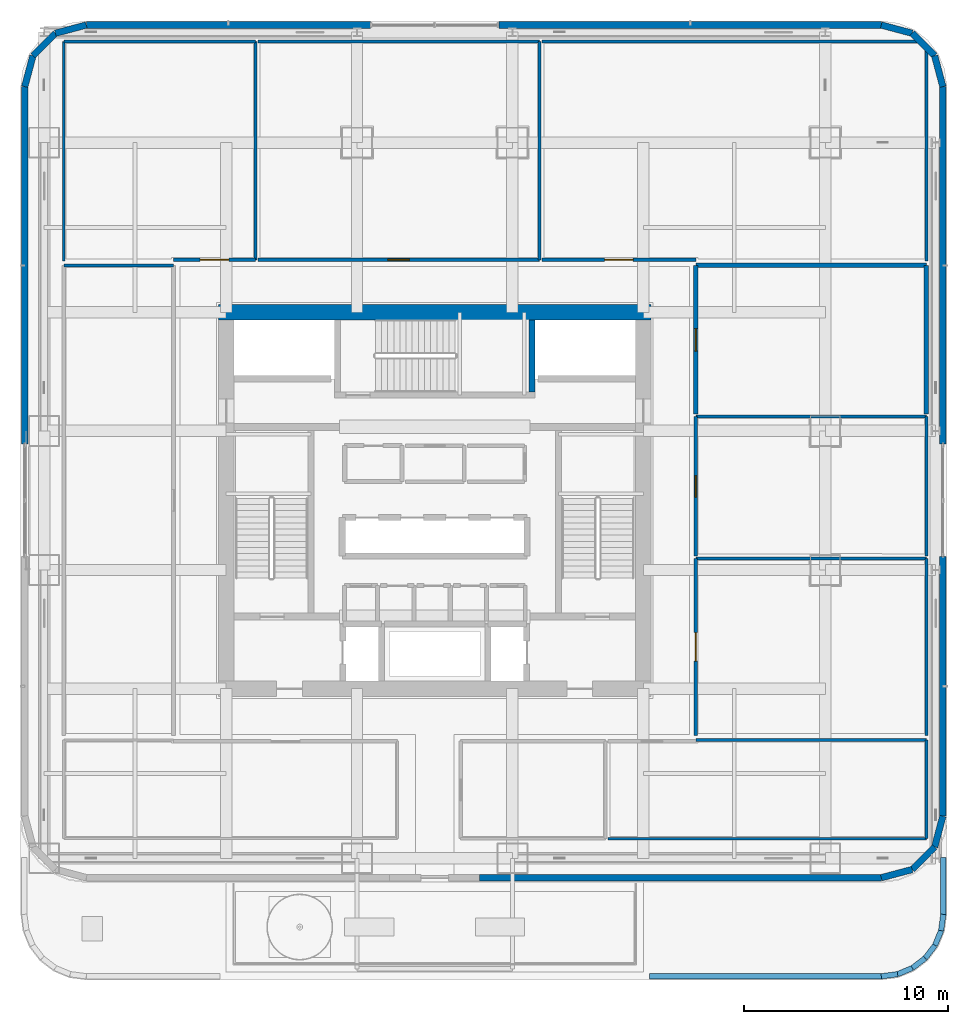
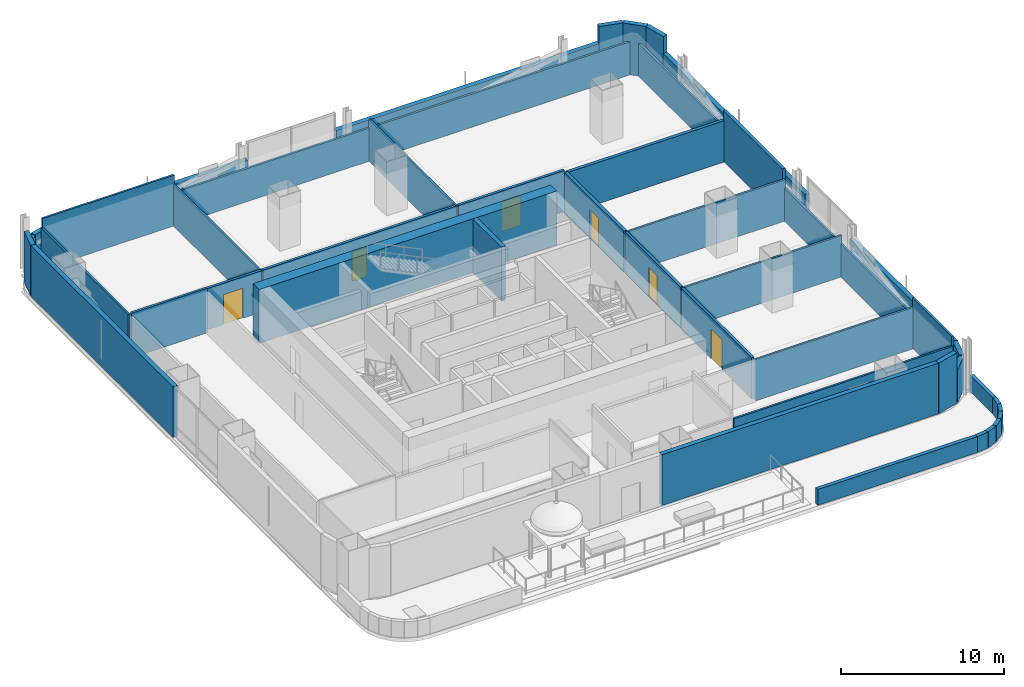
# One storey, part 13 of 28: 48 walls, 6 doors, 6 openings.
"""IFC4 building model written with IfcOpenShell, lengths in metres."""

from ifc_helpers import new_model, si_unit, direction, frame, frame_2d, origin, place, context, subcontext, project, spatial, rectangle, extrude, material, layer, layer_set, type_object, element, fill, save


model = new_model("IFC4")

# Units and contexts
model_context = context("Model", 3, precision=1e-05, world=origin(), true_north=direction((0.0, 1.0)))
body_context = subcontext(model_context, "Body", "Model", "MODEL_VIEW")
ifc_project = project(units=[si_unit("LENGTHUNIT", "METRE"), si_unit("AREAUNIT", "SQUARE_METRE"), si_unit("VOLUMEUNIT", "CUBIC_METRE"), si_unit("PLANEANGLEUNIT", "RADIAN"), si_unit("MASSUNIT", "GRAM", prefix="KILO")], contexts=[model_context])

# Site, building, storey
site_placement = place(None, origin())
site = spatial("IfcSite", under=ifc_project, at=site_placement, CompositionType="ELEMENT")
building_placement = place(site_placement, origin())
building = spatial("IfcBuilding", under=site, at=building_placement, Name="Punatoya Terracotta Tower", CompositionType="ELEMENT")
storey_placement = place(building_placement, frame((0.0, 0.0, 93.0)))
storey = spatial("IfcBuildingStorey", under=building, at=storey_placement, Name="L21", CompositionType="ELEMENT", Elevation=93.0)

# Wall
ifc_material_1 = material(Name="Concrete C60/75", Category="concrete")
ifc_layer_1 = layer(ifc_material_1, 0.75)
ifc_layer_set_1 = layer_set([ifc_layer_1], Name="Concrete C60/75")
wall_type_1 = type_object("IfcWallType", Name="WL-COR-750", PredefinedType="SHEAR", material=ifc_layer_set_1)
wall_1_placement = place(storey_placement, frame((-10.574951171875, 9.199951171875, 0.0), z_axis=(0.0, 0.0, 1.0), x_axis=(1.0, 0.0, 0.0)))
element("IfcWall", 1, at=wall_1_placement, inside=storey, type_object=wall_type_1, Name="L21 Core Shear Wall N", PredefinedType="SHEAR", context=body_context, shape_type="SweptSolid", body=[
    extrude(rectangle(XDim=21.14990234375, YDim=0.75, at=frame_2d((10.574951171875, 0.0))), origin(), (0.0, 0.0, 1.0), 4.050048828125),
])

# Wall, opening, door
ifc_material_2 = material(Name="Gypsum Fireboard + Steel Stud", Category="steel")
ifc_layer_2 = layer(ifc_material_2, 0.179931640625)
ifc_layer_set_2 = layer_set([ifc_layer_2], Name="Gypsum Fireboard + Steel Stud")
wall_type_2 = type_object("IfcWallType", Name="WL-CORR-180", PredefinedType="PARTITIONING", material=ifc_layer_set_2)
wall_2_placement = place(storey_placement, frame((12.77001953125, -11.489990234375, 0.0), z_axis=(0.0, 0.0, 1.0), x_axis=(0.0, 1.0, 0.0)))
wall_2 = element("IfcWall", 2, at=wall_2_placement, inside=storey, type_object=wall_type_2, Name="L21 Open-Plan Press Briefing Room Partition 35", PredefinedType="PARTITIONING", context=body_context, shape_type="SweptSolid", body=[
    extrude(rectangle(XDim=8.657958984375, YDim=0.179931640625, at=frame_2d((4.3291015625, 0.0))), origin(), (0.0, 0.0, 1.0), 3.10400390625),
])
opening_1_placement = place(wall_2_placement, frame((3.62890625, 0.0, 0.0)))
opening_1 = element("IfcOpeningElement", 3, at=opening_1_placement, cuts=wall_2, Name="Opening BD-01", PredefinedType="OPENING", context=body_context, shape_type="SweptSolid", body=[
    extrude(rectangle(XDim=1.39990234375, YDim=2.25, at=frame_2d((0.699951171875, 1.125))), frame((0.0, 0.099853515625, 0.0), z_axis=(0.0, -1.0, 0.0), x_axis=(1.0, 0.0, 0.0)), (0.0, 0.0, 1.0), 0.199951171875),
])
ifc_material_3 = material(Name="Bengal Teak Acoustic Leaf")
door_type_1 = type_object("IfcDoorType", Name="DR-BRD-1400", OperationType="NOTDEFINED", PredefinedType="DOOR", material=ifc_material_3)
door_1_placement = place(opening_1_placement, origin())
door_1 = element("IfcDoor", 4, at=door_1_placement, inside=storey, type_object=door_type_1, Name="L21 Open-Plan Press Briefing Room Door", OperationType="SINGLE_SWING_RIGHT", OverallHeight=2.25, OverallWidth=1.39990234375, PredefinedType="DOOR", context=body_context, shape_type="SweptSolid", body=[
    extrude(rectangle(XDim=1.39990234375, YDim=2.25, at=frame_2d((0.699951171875, 1.125))), frame((0.0, 0.02490234375, 0.0), z_axis=(0.0, -1.0, 0.0), x_axis=(1.0, 0.0, 0.0)), (0.0, 0.0, 1.0), 0.050048828125),
])
fill(opening_1, door_1)

wall_3_placement = place(storey_placement, frame((12.77001953125, -2.7119140625, 0.0), z_axis=(0.0, 0.0, 1.0), x_axis=(0.0, 1.0, 0.0)))
wall_3 = element("IfcWall", 5, at=wall_3_placement, inside=storey, type_object=wall_type_2, Name="L21 Open-Plan Acoustic Wellness Room Partition 41", PredefinedType="PARTITIONING", context=body_context, shape_type="SweptSolid", body=[
    extrude(rectangle(XDim=6.809814453125, YDim=0.179931640625, at=frame_2d((3.40478515625, 0.0))), origin(), (0.0, 0.0, 1.0), 3.10400390625),
])
opening_2_placement = place(wall_3_placement, frame((2.8798828125, 0.0, 0.0)))
opening_2 = element("IfcOpeningElement", 6, at=opening_2_placement, cuts=wall_3, Name="Opening OD-01", PredefinedType="OPENING", context=body_context, shape_type="SweptSolid", body=[
    extrude(rectangle(XDim=1.050048828125, YDim=2.199951171875, at=frame_2d((0.52490234375, 1.10009765625))), frame((0.0, 0.099853515625, 0.0), z_axis=(0.0, -1.0, 0.0), x_axis=(1.0, 0.0, 0.0)), (0.0, 0.0, 1.0), 0.199951171875),
])
ifc_material_4 = material(Name="Bengal Teak Solid-Core Leaf")
door_type_2 = type_object("IfcDoorType", Name="DR-OFF-1050", OperationType="NOTDEFINED", PredefinedType="DOOR", material=ifc_material_4)
door_2_placement = place(opening_2_placement, origin())
door_2 = element("IfcDoor", 7, at=door_2_placement, inside=storey, type_object=door_type_2, Name="L21 Open-Plan Acoustic Wellness Room Door", OperationType="SINGLE_SWING_RIGHT", OverallHeight=2.199951171875, OverallWidth=1.050048828125, PredefinedType="DOOR", context=body_context, shape_type="SweptSolid", body=[
    extrude(rectangle(XDim=1.050048828125, YDim=2.199951171875, at=frame_2d((0.52490234375, 1.10009765625))), frame((0.0, 0.02490234375, 0.0), z_axis=(0.0, -1.0, 0.0), x_axis=(1.0, 0.0, 0.0)), (0.0, 0.0, 1.0), 0.050048828125),
])
fill(opening_2, door_2)

wall_4_placement = place(storey_placement, frame((-8.77197265625, 11.77001953125, 0.0), z_axis=(0.0, 0.0, 1.0), x_axis=(-1.0, 0.0, 0.0)))
wall_4 = element("IfcWall", 8, at=wall_4_placement, inside=storey, type_object=wall_type_2, Name="L21 Editorial Conference Room Partition 50", PredefinedType="PARTITIONING", context=body_context, shape_type="SweptSolid", body=[
    extrude(rectangle(XDim=3.998046875, YDim=0.179931640625, at=frame_2d((1.9990234375, 0.0))), origin(), (0.0, 0.0, 1.0), 3.10400390625),
])
opening_3_placement = place(wall_4_placement, frame((1.299072265625, 0.0, 0.0)))
opening_3 = element("IfcOpeningElement", 9, at=opening_3_placement, cuts=wall_4, Name="Opening BD-01", PredefinedType="OPENING", context=body_context, shape_type="SweptSolid", body=[
    extrude(rectangle(XDim=1.39990234375, YDim=2.25, at=frame_2d((0.699951171875, 1.125))), frame((0.0, 0.099853515625, 0.0), z_axis=(0.0, -1.0, 0.0), x_axis=(1.0, 0.0, 0.0)), (0.0, 0.0, 1.0), 0.199951171875),
])
door_3_placement = place(opening_3_placement, origin())
door_3 = element("IfcDoor", 10, at=door_3_placement, inside=storey, type_object=door_type_1, Name="L21 Editorial Conference Room Door", OperationType="SINGLE_SWING_RIGHT", OverallHeight=2.25, OverallWidth=1.39990234375, PredefinedType="DOOR", context=body_context, shape_type="SweptSolid", body=[
    extrude(rectangle(XDim=1.39990234375, YDim=2.25, at=frame_2d((0.699951171875, 1.125))), frame((0.0, 0.02490234375, 0.0), z_axis=(0.0, -1.0, 0.0), x_axis=(1.0, 0.0, 0.0)), (0.0, 0.0, 1.0), 0.050048828125),
])
fill(opening_3, door_3)

wall_5_placement = place(storey_placement, frame((5.117919921875, 11.77001953125, 0.0), z_axis=(0.0, 0.0, 1.0), x_axis=(-1.0, 0.0, 0.0)))
wall_5 = element("IfcWall", 11, at=wall_5_placement, inside=storey, type_object=wall_type_2, Name="L21 Open-Plan Client Briefing Office Partition 53", PredefinedType="PARTITIONING", context=body_context, shape_type="SweptSolid", body=[
    extrude(rectangle(XDim=13.77001953125, YDim=0.179931640625, at=frame_2d((6.885009765625, 0.0))), origin(), (0.0, 0.0, 1.0), 3.10400390625),
])
opening_4_placement = place(wall_5_placement, frame((6.360107421875, 0.0, 0.0)))
opening_4 = element("IfcOpeningElement", 12, at=opening_4_placement, cuts=wall_5, Name="Opening OD-01", PredefinedType="OPENING", context=body_context, shape_type="SweptSolid", body=[
    extrude(rectangle(XDim=1.050048828125, YDim=2.199951171875, at=frame_2d((0.52490234375, 1.10009765625))), frame((0.0, 0.099853515625, 0.0), z_axis=(0.0, -1.0, 0.0), x_axis=(1.0, 0.0, 0.0)), (0.0, 0.0, 1.0), 0.199951171875),
])
door_4_placement = place(opening_4_placement, origin())
door_4 = element("IfcDoor", 13, at=door_4_placement, inside=storey, type_object=door_type_2, Name="L21 Open-Plan Client Briefing Office Door", OperationType="SINGLE_SWING_LEFT", OverallHeight=2.199951171875, OverallWidth=1.050048828125, PredefinedType="DOOR", context=body_context, shape_type="SweptSolid", body=[
    extrude(rectangle(XDim=1.050048828125, YDim=2.199951171875, at=frame_2d((0.52490234375, 1.10009765625))), frame((0.0, 0.02490234375, 0.0), z_axis=(0.0, -1.0, 0.0), x_axis=(1.0, 0.0, 0.0)), (0.0, 0.0, 1.0), 0.050048828125),
])
fill(opening_4, door_4)

wall_6_placement = place(storey_placement, frame((12.77001953125, 11.77001953125, 0.0), z_axis=(0.0, 0.0, 1.0), x_axis=(-1.0, 0.0, 0.0)))
wall_6 = element("IfcWall", 14, at=wall_6_placement, inside=storey, type_object=wall_type_2, Name="L21 Visualization Review Room Partition 56", PredefinedType="PARTITIONING", context=body_context, shape_type="SweptSolid", body=[
    extrude(rectangle(XDim=7.531982421875, YDim=0.179931640625, at=frame_2d((3.76611328125, 0.0))), origin(), (0.0, 0.0, 1.0), 3.10400390625),
])
opening_5_placement = place(wall_6_placement, frame((3.06591796875, 0.0, 0.0)))
opening_5 = element("IfcOpeningElement", 15, at=opening_5_placement, cuts=wall_6, Name="Opening BD-01", PredefinedType="OPENING", context=body_context, shape_type="SweptSolid", body=[
    extrude(rectangle(XDim=1.39990234375, YDim=2.25, at=frame_2d((0.699951171875, 1.125))), frame((0.0, 0.099853515625, 0.0), z_axis=(0.0, -1.0, 0.0), x_axis=(1.0, 0.0, 0.0)), (0.0, 0.0, 1.0), 0.199951171875),
])
door_5_placement = place(opening_5_placement, origin())
door_5 = element("IfcDoor", 16, at=door_5_placement, inside=storey, type_object=door_type_1, Name="L21 Visualization Review Room Door", OperationType="SINGLE_SWING_RIGHT", OverallHeight=2.25, OverallWidth=1.39990234375, PredefinedType="DOOR", context=body_context, shape_type="SweptSolid", body=[
    extrude(rectangle(XDim=1.39990234375, YDim=2.25, at=frame_2d((0.699951171875, 1.125))), frame((0.0, 0.02490234375, 0.0), z_axis=(0.0, -1.0, 0.0), x_axis=(1.0, 0.0, 0.0)), (0.0, 0.0, 1.0), 0.050048828125),
])
fill(opening_5, door_5)

# Walls
ifc_material_5 = material(Name="Precast concrete C40/50", Category="concrete")
ifc_layer_3 = layer(ifc_material_5, 0.320068359375)
ifc_layer_set_3 = layer_set([ifc_layer_3], Name="Precast concrete C40/50")
wall_type_3 = type_object("IfcWallType", Name="WL-EXT-320", PredefinedType="SOLIDWALL", material=ifc_layer_set_3)
wall_7_placement = place(storey_placement, frame((2.199951171875, -18.449951171875, 0.0), z_axis=(0.0, 0.0, 1.0), x_axis=(1.0, 0.0, 0.0)))
element("IfcWall", 17, at=wall_7_placement, inside=storey, type_object=wall_type_3, Name="L21 Terracotta Braced Facade Wall S", PredefinedType="SOLIDWALL", context=body_context, shape_type="SweptSolid", body=[
    extrude(rectangle(XDim=19.636962890625, YDim=0.320068359375, at=frame_2d((9.818359375, 0.0))), origin(), (0.0, 0.0, 1.0), 3.81005859375),
])
wall_8_placement = place(storey_placement, frame((21.8369140625, -18.449951171875, 0.0), z_axis=(0.0, 0.0, 1.0), x_axis=(0.966224582397, 0.257701486942, 0.0)))
element("IfcWall", 18, at=wall_8_placement, inside=storey, type_object=wall_type_3, Name="L21 Rounded Terracotta Corner Pier 02", PredefinedType="SOLIDWALL", context=body_context, shape_type="SweptSolid", body=[
    extrude(rectangle(XDim=1.565185546875, YDim=0.320068359375, at=frame_2d((0.78271484375, 0.0))), origin(), (0.0, 0.0, 1.0), 3.81005859375),
])
wall_9_placement = place(storey_placement, frame((23.34912109375, -18.046630859375, 0.0), z_axis=(0.0, 0.0, 1.0), x_axis=(0.707106781187, 0.707106781187, 0.0)))
element("IfcWall", 19, at=wall_9_placement, inside=storey, type_object=wall_type_3, Name="L21 Rounded Terracotta Corner Pier 03", PredefinedType="SOLIDWALL", context=body_context, shape_type="SweptSolid", body=[
    extrude(rectangle(XDim=1.552001953125, YDim=0.320068359375, at=frame_2d((0.77587890625, 0.0))), origin(), (0.0, 0.0, 1.0), 2.48388671875),
])
wall_10_placement = place(storey_placement, frame((24.446533203125, -16.94921875, 0.0), z_axis=(0.0, 0.0, 1.0), x_axis=(0.257847112249, 0.966185730957, 0.0)))
element("IfcWall", 20, at=wall_10_placement, inside=storey, type_object=wall_type_3, Name="L21 Rounded Terracotta Corner Pier 04", PredefinedType="SOLIDWALL", context=body_context, shape_type="SweptSolid", body=[
    extrude(rectangle(XDim=1.565185546875, YDim=0.320068359375, at=frame_2d((0.78271484375, 0.0))), origin(), (0.0, 0.0, 1.0), 2.52392578125),
])
wall_11_placement = place(storey_placement, frame((24.85009765625, -15.43701171875, 0.0), z_axis=(0.0, 0.0, 1.0), x_axis=(0.0, 1.0, 0.0)))
element("IfcWall", 21, at=wall_11_placement, inside=storey, type_object=wall_type_3, Name="L21 Terracotta Braced Facade Wall E1", PredefinedType="SOLIDWALL", context=body_context, shape_type="SweptSolid", body=[
    extrude(rectangle(XDim=12.68701171875, YDim=0.320068359375, at=frame_2d((6.343505859375, 0.0))), origin(), (0.0, 0.0, 1.0), 2.52392578125),
])
wall_12_placement = place(storey_placement, frame((24.85009765625, 2.75, 0.0), z_axis=(0.0, 0.0, 1.0), x_axis=(0.0, 1.0, 0.0)))
element("IfcWall", 22, at=wall_12_placement, inside=storey, type_object=wall_type_3, Name="L21 Terracotta Braced Facade Wall E2", PredefinedType="SOLIDWALL", context=body_context, shape_type="SweptSolid", body=[
    extrude(rectangle(XDim=17.48681640625, YDim=0.320068359375, at=frame_2d((8.743408203125, 0.0))), origin(), (0.0, 0.0, 1.0), 2.52392578125),
])
wall_13_placement = place(storey_placement, frame((24.85009765625, 20.23681640625, 0.0), z_axis=(0.0, 0.0, 1.0), x_axis=(-0.257847112249, 0.966185730957, 0.0)))
element("IfcWall", 23, at=wall_13_placement, inside=storey, type_object=wall_type_3, Name="L21 Rounded Terracotta Corner Pier 06", PredefinedType="SOLIDWALL", context=body_context, shape_type="SweptSolid", body=[
    extrude(rectangle(XDim=1.565185546875, YDim=0.320068359375, at=frame_2d((0.78271484375, 0.0))), origin(), (0.0, 0.0, 1.0), 3.81005859375),
])
wall_14_placement = place(storey_placement, frame((24.446533203125, 21.7490234375, 0.0), z_axis=(0.0, 0.0, 1.0), x_axis=(-0.707028130747, 0.707185422879, 0.0)))
element("IfcWall", 24, at=wall_14_placement, inside=storey, type_object=wall_type_3, Name="L21 Rounded Terracotta Corner Pier 07", PredefinedType="SOLIDWALL", context=body_context, shape_type="SweptSolid", body=[
    extrude(rectangle(XDim=1.55224609375, YDim=0.320068359375, at=frame_2d((0.776123046875, 0.0))), origin(), (0.0, 0.0, 1.0), 3.81005859375),
])
wall_15_placement = place(storey_placement, frame((23.34912109375, 22.8466796875, 0.0), z_axis=(0.0, 0.0, 1.0), x_axis=(-0.966224582397, 0.257701486942, 0.0)))
element("IfcWall", 25, at=wall_15_placement, inside=storey, type_object=wall_type_3, Name="L21 Rounded Terracotta Corner Pier 08", PredefinedType="SOLIDWALL", context=body_context, shape_type="SweptSolid", body=[
    extrude(rectangle(XDim=1.565185546875, YDim=0.320068359375, at=frame_2d((0.78271484375, 0.0))), origin(), (0.0, 0.0, 1.0), 3.81005859375),
])
wall_16_placement = place(storey_placement, frame((21.8369140625, 23.25, 0.0), z_axis=(0.0, 0.0, 1.0), x_axis=(-1.0, 0.0, 0.0)))
element("IfcWall", 26, at=wall_16_placement, inside=storey, type_object=wall_type_3, Name="L21 Terracotta Braced Facade Wall N1", PredefinedType="SOLIDWALL", context=body_context, shape_type="SweptSolid", body=[
    extrude(rectangle(XDim=18.68701171875, YDim=0.320068359375, at=frame_2d((9.343505859375, 0.0))), origin(), (0.0, 0.0, 1.0), 2.52392578125),
])
wall_17_placement = place(storey_placement, frame((-3.14990234375, 23.25, 0.0), z_axis=(0.0, 0.0, 1.0), x_axis=(-1.0, 0.0, 0.0)))
element("IfcWall", 27, at=wall_17_placement, inside=storey, type_object=wall_type_3, Name="L21 Terracotta Braced Facade Wall N2", PredefinedType="SOLIDWALL", context=body_context, shape_type="SweptSolid", body=[
    extrude(rectangle(XDim=13.886962890625, YDim=0.320068359375, at=frame_2d((6.943359375, 0.0))), origin(), (0.0, 0.0, 1.0), 2.52392578125),
])
wall_18_placement = place(storey_placement, frame((-17.036865234375, 23.25, 0.0), z_axis=(0.0, 0.0, 1.0), x_axis=(-0.966224582397, -0.257701486942, 0.0)))
element("IfcWall", 28, at=wall_18_placement, inside=storey, type_object=wall_type_3, Name="L21 Rounded Terracotta Corner Pier 10", PredefinedType="SOLIDWALL", context=body_context, shape_type="SweptSolid", body=[
    extrude(rectangle(XDim=1.565185546875, YDim=0.320068359375, at=frame_2d((0.78271484375, 0.0))), origin(), (0.0, 0.0, 1.0), 2.52392578125),
])
wall_19_placement = place(storey_placement, frame((-18.549072265625, 22.8466796875, 0.0), z_axis=(0.0, 0.0, 1.0), x_axis=(-0.707028130747, -0.707185422879, 0.0)))
element("IfcWall", 29, at=wall_19_placement, inside=storey, type_object=wall_type_3, Name="L21 Rounded Terracotta Corner Pier 11", PredefinedType="SOLIDWALL", context=body_context, shape_type="SweptSolid", body=[
    extrude(rectangle(XDim=1.55224609375, YDim=0.320068359375, at=frame_2d((0.776123046875, 0.0))), origin(), (0.0, 0.0, 1.0), 2.48388671875),
])
wall_20_placement = place(storey_placement, frame((-19.646484375, 21.7490234375, 0.0), z_axis=(0.0, 0.0, 1.0), x_axis=(-0.257847112249, -0.966185730957, 0.0)))
element("IfcWall", 30, at=wall_20_placement, inside=storey, type_object=wall_type_3, Name="L21 Rounded Terracotta Corner Pier 12", PredefinedType="SOLIDWALL", context=body_context, shape_type="SweptSolid", body=[
    extrude(rectangle(XDim=1.565185546875, YDim=0.320068359375, at=frame_2d((0.78271484375, 0.0))), origin(), (0.0, 0.0, 1.0), 3.81005859375),
])
wall_21_placement = place(storey_placement, frame((-20.050048828125, 20.23681640625, 0.0), z_axis=(0.0, 0.0, 1.0), x_axis=(0.0, -1.0, 0.0)))
element("IfcWall", 31, at=wall_21_placement, inside=storey, type_object=wall_type_3, Name="L21 Terracotta Braced Facade Wall W1", PredefinedType="SOLIDWALL", context=body_context, shape_type="SweptSolid", body=[
    extrude(rectangle(XDim=17.48681640625, YDim=0.320068359375, at=frame_2d((8.743408203125, 0.0))), origin(), (0.0, 0.0, 1.0), 3.81005859375),
])

# Wall, opening, door
ifc_material_6 = material(Name="Concrete C40/50", Category="concrete")
ifc_layer_4 = layer(ifc_material_6, 0.219970703125)
ifc_layer_set_4 = layer_set([ifc_layer_4], Name="Concrete C40/50")
wall_type_4 = type_object("IfcWallType", Name="WL-FIR-220", PredefinedType="SOLIDWALL", material=ifc_layer_set_4)
wall_22_placement = place(storey_placement, frame((12.77001953125, 4.218017578125, 0.0), z_axis=(0.0, 0.0, 1.0), x_axis=(0.0, 1.0, 0.0)))
wall_22 = element("IfcWall", 32, at=wall_22_placement, inside=storey, type_object=wall_type_4, Name="L21 Model-Making Archive Partition 44", PredefinedType="SOLIDWALL", context=body_context, shape_type="SweptSolid", body=[
    extrude(rectangle(XDim=7.27197265625, YDim=0.219970703125, at=frame_2d((3.635986328125, 0.0))), origin(), (0.0, 0.0, 1.0), 3.10400390625),
])
opening_6_placement = place(wall_22_placement, frame((3.0859375, 0.0, 0.0)))
opening_6 = element("IfcOpeningElement", 33, at=opening_6_placement, cuts=wall_22, Name="Opening FD-P1", PredefinedType="OPENING", context=body_context, shape_type="SweptSolid", body=[
    extrude(rectangle(XDim=1.10009765625, YDim=2.199951171875, at=frame_2d((0.550048828125, 1.10009765625))), frame((0.0, 0.119873046875, 0.0), z_axis=(0.0, -1.0, 0.0), x_axis=(1.0, 0.0, 0.0)), (0.0, 0.0, 1.0), 0.239990234375),
])
ifc_material_7 = material(Name="Galvanised Steel Plant Fire Door", Category="steel")
door_type_3 = type_object("IfcDoorType", Name="DR-PLT-1100", OperationType="NOTDEFINED", PredefinedType="DOOR", material=ifc_material_7)
door_6_placement = place(opening_6_placement, origin())
door_6 = element("IfcDoor", 34, at=door_6_placement, inside=storey, type_object=door_type_3, Name="L21 Model-Making Archive Fire Door", OperationType="SINGLE_SWING_LEFT", OverallHeight=2.199951171875, OverallWidth=1.10009765625, PredefinedType="DOOR", context=body_context, shape_type="SweptSolid", body=[
    extrude(rectangle(XDim=1.10009765625, YDim=2.199951171875, at=frame_2d((0.550048828125, 1.10009765625))), frame((0.0, 0.02490234375, 0.0), z_axis=(0.0, -1.0, 0.0), x_axis=(1.0, 0.0, 0.0)), (0.0, 0.0, 1.0), 0.050048828125),
])
fill(opening_6, door_6)

# Walls
wall_23_placement = place(storey_placement, frame((12.77001953125, 11.489990234375, 0.0), z_axis=(0.0, 0.0, 1.0), x_axis=(1.0, 0.0, 0.0)))
element("IfcWall", 35, at=wall_23_placement, inside=storey, type_object=wall_type_4, Name="L21 Model-Making Archive Partition 45", PredefinedType="SOLIDWALL", context=body_context, shape_type="SweptSolid", body=[
    extrude(rectangle(XDim=11.27001953125, YDim=0.219970703125, at=frame_2d((5.635009765625, 0.0))), origin(), (0.0, 0.0, 1.0), 3.10400390625),
])
wall_24_placement = place(storey_placement, frame((24.0400390625, 11.489990234375, 0.0), z_axis=(0.0, 0.0, 1.0), x_axis=(0.0, -1.0, 0.0)))
element("IfcWall", 36, at=wall_24_placement, inside=storey, type_object=wall_type_4, Name="L21 Model-Making Archive Partition 46", PredefinedType="SOLIDWALL", context=body_context, shape_type="SweptSolid", body=[
    extrude(rectangle(XDim=7.27197265625, YDim=0.219970703125, at=frame_2d((3.635986328125, 0.0))), origin(), (0.0, 0.0, 1.0), 3.81005859375),
])
ifc_material_8 = material(Name="Acoustic Gypsum + Steel Stud", Category="steel")
ifc_layer_5 = layer(ifc_material_8, 0.139892578125)
ifc_layer_set_5 = layer_set([ifc_layer_5], Name="Acoustic Gypsum + Steel Stud")
wall_type_5 = type_object("IfcWallType", Name="WL-OFF-140", PredefinedType="PARTITIONING", material=ifc_layer_set_5)
wall_25_placement = place(storey_placement, frame((12.77001953125, -11.7099609375, 0.0), z_axis=(0.0, 0.0, 1.0), x_axis=(1.0, 0.0, 0.0)))
element("IfcWall", 37, at=wall_25_placement, inside=storey, type_object=wall_type_5, Name="L21 Graphic Design Workplace Partition 32", PredefinedType="PARTITIONING", context=body_context, shape_type="SweptSolid", body=[
    extrude(rectangle(XDim=11.27001953125, YDim=0.139892578125, at=frame_2d((5.635009765625, 0.0))), origin(), (0.0, 0.0, 1.0), 3.10400390625),
])
wall_26_placement = place(storey_placement, frame((24.0400390625, -11.7099609375, 0.0), z_axis=(0.0, 0.0, 1.0), x_axis=(0.0, -1.0, 0.0)))
element("IfcWall", 38, at=wall_26_placement, inside=storey, type_object=wall_type_5, Name="L21 Graphic Design Workplace Partition 33", PredefinedType="PARTITIONING", context=body_context, shape_type="SweptSolid", body=[
    extrude(rectangle(XDim=4.830078125, YDim=0.139892578125, at=frame_2d((2.4150390625, 0.0))), origin(), (0.0, 0.0, 1.0), 3.81005859375),
])
wall_27_placement = place(storey_placement, frame((24.0400390625, -16.5400390625, 0.0), z_axis=(0.0, 0.0, 1.0), x_axis=(-1.0, 0.0, 0.0)))
element("IfcWall", 39, at=wall_27_placement, inside=storey, type_object=wall_type_5, Name="L21 Graphic Design Workplace Partition 34", PredefinedType="PARTITIONING", context=body_context, shape_type="SweptSolid", body=[
    extrude(rectangle(XDim=15.56103515625, YDim=0.139892578125, at=frame_2d((7.780517578125, 0.0))), origin(), (0.0, 0.0, 1.0), 3.10400390625),
])
wall_28_placement = place(storey_placement, frame((12.77001953125, -2.83203125, 0.0), z_axis=(0.0, 0.0, 1.0), x_axis=(1.0, 0.0, 0.0)))
element("IfcWall", 40, at=wall_28_placement, inside=storey, type_object=wall_type_5, Name="L21 Open-Plan Press Briefing Room Partition 36", PredefinedType="PARTITIONING", context=body_context, shape_type="SweptSolid", body=[
    extrude(rectangle(XDim=11.27001953125, YDim=0.139892578125, at=frame_2d((5.635009765625, 0.0))), origin(), (0.0, 0.0, 1.0), 3.10400390625),
])
wall_29_placement = place(storey_placement, frame((24.0400390625, -2.83203125, 0.0), z_axis=(0.0, 0.0, 1.0), x_axis=(0.0, -1.0, 0.0)))
element("IfcWall", 41, at=wall_29_placement, inside=storey, type_object=wall_type_5, Name="L21 Open-Plan Press Briefing Room Partition 37", PredefinedType="PARTITIONING", context=body_context, shape_type="SweptSolid", body=[
    extrude(rectangle(XDim=8.657958984375, YDim=0.139892578125, at=frame_2d((4.3291015625, 0.0))), origin(), (0.0, 0.0, 1.0), 2.48388671875),
])
wall_30_placement = place(storey_placement, frame((12.77001953125, 4.097900390625, 0.0), z_axis=(0.0, 0.0, 1.0), x_axis=(1.0, 0.0, 0.0)))
element("IfcWall", 42, at=wall_30_placement, inside=storey, type_object=wall_type_5, Name="L21 Open-Plan Acoustic Wellness Room Partition 42", PredefinedType="PARTITIONING", context=body_context, shape_type="SweptSolid", body=[
    extrude(rectangle(XDim=11.27001953125, YDim=0.139892578125, at=frame_2d((5.635009765625, 0.0))), origin(), (0.0, 0.0, 1.0), 3.10400390625),
])
wall_31_placement = place(storey_placement, frame((24.0400390625, 4.097900390625, 0.0), z_axis=(0.0, 0.0, 1.0), x_axis=(0.0, -1.0, 0.0)))
element("IfcWall", 43, at=wall_31_placement, inside=storey, type_object=wall_type_5, Name="L21 Open-Plan Acoustic Wellness Room Partition 43", PredefinedType="PARTITIONING", context=body_context, shape_type="SweptSolid", body=[
    extrude(rectangle(XDim=6.809814453125, YDim=0.139892578125, at=frame_2d((3.40478515625, 0.0))), origin(), (0.0, 0.0, 1.0), 2.48388671875),
])
wall_32_placement = place(storey_placement, frame((-18.139892578125, 11.7099609375, 0.0), z_axis=(0.0, 0.0, 1.0), x_axis=(0.0, 1.0, 0.0)))
element("IfcWall", 44, at=wall_32_placement, inside=storey, type_object=wall_type_5, Name="L21 Editorial Conference Room Partition 47", PredefinedType="PARTITIONING", context=body_context, shape_type="SweptSolid", body=[
    extrude(rectangle(XDim=10.72998046875, YDim=0.139892578125, at=frame_2d((5.364990234375, 0.0))), origin(), (0.0, 0.0, 1.0), 3.10400390625),
])
wall_33_placement = place(storey_placement, frame((-18.139892578125, 22.43994140625, 0.0), z_axis=(0.0, 0.0, 1.0), x_axis=(1.0, 0.0, 0.0)))
element("IfcWall", 45, at=wall_33_placement, inside=storey, type_object=wall_type_5, Name="L21 Editorial Conference Room Partition 48", PredefinedType="PARTITIONING", context=body_context, shape_type="SweptSolid", body=[
    extrude(rectangle(XDim=9.367919921875, YDim=0.139892578125, at=frame_2d((4.68408203125, 0.0))), origin(), (0.0, 0.0, 1.0), 3.81005859375),
])
wall_34_placement = place(storey_placement, frame((-8.77197265625, 22.43994140625, 0.0), z_axis=(0.0, 0.0, 1.0), x_axis=(0.0, -1.0, 0.0)))
element("IfcWall", 46, at=wall_34_placement, inside=storey, type_object=wall_type_5, Name="L21 Editorial Conference Room Partition 49", PredefinedType="PARTITIONING", context=body_context, shape_type="SweptSolid", body=[
    extrude(rectangle(XDim=10.669921875, YDim=0.139892578125, at=frame_2d((5.3349609375, 0.0))), origin(), (0.0, 0.0, 1.0), 3.10400390625),
])
wall_35_placement = place(storey_placement, frame((-8.652099609375, 22.43994140625, 0.0), z_axis=(0.0, 0.0, 1.0), x_axis=(1.0, 0.0, 0.0)))
element("IfcWall", 47, at=wall_35_placement, inside=storey, type_object=wall_type_5, Name="L21 Open-Plan Client Briefing Office Partition 51", PredefinedType="PARTITIONING", context=body_context, shape_type="SweptSolid", body=[
    extrude(rectangle(XDim=13.77001953125, YDim=0.139892578125, at=frame_2d((6.885009765625, 0.0))), origin(), (0.0, 0.0, 1.0), 2.48388671875),
])
wall_36_placement = place(storey_placement, frame((5.117919921875, 22.43994140625, 0.0), z_axis=(0.0, 0.0, 1.0), x_axis=(0.0, -1.0, 0.0)))
element("IfcWall", 48, at=wall_36_placement, inside=storey, type_object=wall_type_5, Name="L21 Open-Plan Client Briefing Office Partition 52", PredefinedType="PARTITIONING", context=body_context, shape_type="SweptSolid", body=[
    extrude(rectangle(XDim=10.669921875, YDim=0.139892578125, at=frame_2d((5.3349609375, 0.0))), origin(), (0.0, 0.0, 1.0), 3.10400390625),
])
wall_37_placement = place(storey_placement, frame((5.238037109375, 22.43994140625, 0.0), z_axis=(0.0, 0.0, 1.0), x_axis=(1.0, 0.0, 0.0)))
element("IfcWall", 49, at=wall_37_placement, inside=storey, type_object=wall_type_5, Name="L21 Visualization Review Room Partition 54", PredefinedType="PARTITIONING", context=body_context, shape_type="SweptSolid", body=[
    extrude(rectangle(XDim=18.509521484375, YDim=0.139892578125, at=frame_2d((9.2548828125, 0.0))), origin(), (0.0, 0.0, 1.0), 2.48388671875),
])
wall_38_placement = place(storey_placement, frame((24.0400390625, 22.1474609375, 0.0), z_axis=(0.0, 0.0, 1.0), x_axis=(0.0, -1.0, 0.0)))
element("IfcWall", 50, at=wall_38_placement, inside=storey, type_object=wall_type_5, Name="L21 Visualization Review Room Partition 55", PredefinedType="PARTITIONING", context=body_context, shape_type="SweptSolid", body=[
    extrude(rectangle(XDim=10.4375, YDim=0.139892578125, at=frame_2d((5.21875, 0.0))), origin(), (0.0, 0.0, 1.0), 2.48388671875),
])
ifc_layer_6 = layer(ifc_material_5, 0.260009765625)
ifc_layer_set_6 = layer_set([ifc_layer_6], Name="Precast concrete C40/50")
wall_type_6 = type_object("IfcWallType", Name="WL-PAR-260", PredefinedType="PARAPET", material=ifc_layer_set_6)
wall_39_placement = place(storey_placement, frame((21.838134765625, -23.27001953125, 0.0), z_axis=(0.0, 0.0, 1.0), x_axis=(0.991429342672, 0.130644014367, 0.0)))
element("IfcWall", 51, at=wall_39_placement, inside=storey, type_object=wall_type_6, Name="L21 Roof Parapet Wall PAR-L21-RF-01", PredefinedType="PARAPET", context=body_context, shape_type="SweptSolid", body=[
    extrude(rectangle(XDim=0.7998046875, YDim=0.260009765625, at=frame_2d((0.39990234375, 0.0))), origin(), (0.0, 0.0, 1.0), 1.199951171875),
])
for number, where, z_axis, x_axis, name in (
    (52, (22.631103515625, -23.16552734375, 0.0), (0.0, 0.0, 1.0), (0.923899778896, 0.38263454961, 0.0), "L21 Roof Parapet Wall PAR-L21-RF-02"),
    (53, (23.359130859375, -22.864013671875, 0.0), (0.0, 0.0, 1.0), (0.793371954706, 0.608737169464, 0.0), "L21 Roof Parapet Wall PAR-L21-RF-03"),
):
    element("IfcWall", number, at=place(storey_placement, frame(where, z_axis=z_axis, x_axis=x_axis)), inside=storey, type_object=wall_type_6, Name=name, PredefinedType="PARAPET", context=body_context, shape_type="SweptSolid", body=[
        extrude(rectangle(XDim=0.7880859375, YDim=0.260009765625, at=frame_2d((0.39404296875, 0.0))), origin(), (0.0, 0.0, 1.0), 1.199951171875),
    ])
wall_40_placement = place(storey_placement, frame((23.984375, -22.38427734375, 0.0), z_axis=(0.0, 0.0, 1.0), x_axis=(0.608886809997, 0.793257116332, 0.0)))
element("IfcWall", 54, at=wall_40_placement, inside=storey, type_object=wall_type_6, Name="L21 Roof Parapet Wall PAR-L21-RF-04", PredefinedType="PARAPET", context=body_context, shape_type="SweptSolid", body=[
    extrude(rectangle(XDim=0.787841796875, YDim=0.260009765625, at=frame_2d((0.39404296875, 0.0))), origin(), (0.0, 0.0, 1.0), 1.199951171875),
])
wall_41_placement = place(storey_placement, frame((24.464111328125, -21.75927734375, 0.0), z_axis=(0.0, 0.0, 1.0), x_axis=(0.38263454961, 0.923899778896, 0.0)))
element("IfcWall", 55, at=wall_41_placement, inside=storey, type_object=wall_type_6, Name="L21 Roof Parapet Wall PAR-L21-RF-05", PredefinedType="PARAPET", context=body_context, shape_type="SweptSolid", body=[
    extrude(rectangle(XDim=0.7880859375, YDim=0.260009765625, at=frame_2d((0.39404296875, 0.0))), origin(), (0.0, 0.0, 1.0), 1.199951171875),
])
wall_42_placement = place(storey_placement, frame((24.765625, -21.03125, 0.0), z_axis=(0.0, 0.0, 1.0), x_axis=(0.130644014367, 0.991429342672, 0.0)))
element("IfcWall", 56, at=wall_42_placement, inside=storey, type_object=wall_type_6, Name="L21 Roof Parapet Wall PAR-L21-RF-06", PredefinedType="PARAPET", context=body_context, shape_type="SweptSolid", body=[
    extrude(rectangle(XDim=0.7998046875, YDim=0.260009765625, at=frame_2d((0.39990234375, 0.0))), origin(), (0.0, 0.0, 1.0), 1.199951171875),
])
wall_43_placement = place(storey_placement, frame((24.8701171875, -20.23828125, 0.0), z_axis=(0.0, 0.0, 1.0), x_axis=(0.0, 1.0, 0.0)))
element("IfcWall", 57, at=wall_43_placement, inside=storey, type_object=wall_type_6, Name="L21 Roof Parapet Wall PAR-L21-RF-07", PredefinedType="PARAPET", context=body_context, shape_type="SweptSolid", body=[
    extrude(rectangle(XDim=2.773193359375, YDim=0.260009765625, at=frame_2d((1.38671875, 0.0))), origin(), (0.0, 0.0, 1.0), 1.199951171875),
])
wall_44_placement = place(storey_placement, frame((10.5, -23.27001953125, 0.0), z_axis=(0.0, 0.0, 1.0), x_axis=(1.0, 0.0, 0.0)))
element("IfcWall", 58, at=wall_44_placement, inside=storey, type_object=wall_type_6, Name="L21 Roof Parapet Wall PAR-L21-RF-16", PredefinedType="PARAPET", context=body_context, shape_type="SweptSolid", body=[
    extrude(rectangle(XDim=11.338134765625, YDim=0.260009765625, at=frame_2d((5.6689453125, 0.0))), origin(), (0.0, 0.0, 1.0), 1.199951171875),
])
ifc_layer_7 = layer(ifc_material_6, 0.300048828125)
ifc_layer_set_7 = layer_set([ifc_layer_7], Name="Concrete C40/50")
wall_type_7 = type_object("IfcWallType", Name="WL-SHF-300", PredefinedType="SOLIDWALL", material=ifc_layer_set_7)
wall_45_placement = place(storey_placement, frame((4.75, 8.824951171875, 0.0), z_axis=(0.0, 0.0, 1.0), x_axis=(0.0, -1.0, 0.0)))
element("IfcWall", 59, at=wall_45_placement, inside=storey, type_object=wall_type_7, Name="L21 Structural Stair Shaft Wall SW-ST3-E", PredefinedType="SOLIDWALL", context=body_context, shape_type="SweptSolid", body=[
    extrude(rectangle(XDim=3.52490234375, YDim=0.300048828125, at=frame_2d((1.762451171875, 0.0))), origin(), (0.0, 0.0, 1.0), 4.050048828125),
])
ifc_material_9 = material(Name="Masonry Blockwork + Ceramic Tile", Category="masonry")
ifc_layer_8 = layer(ifc_material_9, 0.159912109375)
ifc_layer_set_8 = layer_set([ifc_layer_8], Name="Masonry Blockwork + Ceramic Tile")
wall_type_8 = type_object("IfcWallType", Name="WL-WET-160", PredefinedType="PARTITIONING", material=ifc_layer_set_8)
wall_46_placement = place(storey_placement, frame((-18.139892578125, 11.489990234375, 0.0), z_axis=(0.0, 0.0, 1.0), x_axis=(1.0, 0.0, 0.0)))
element("IfcWall", 60, at=wall_46_placement, inside=storey, type_object=wall_type_8, Name="L21 Hospitality Tea Pantry Partition 39", PredefinedType="PARTITIONING", context=body_context, shape_type="SweptSolid", body=[
    extrude(rectangle(XDim=5.369873046875, YDim=0.159912109375, at=frame_2d((2.68505859375, 0.0))), origin(), (0.0, 0.0, 1.0), 3.35400390625),
])

save(model, "model.ifc")
